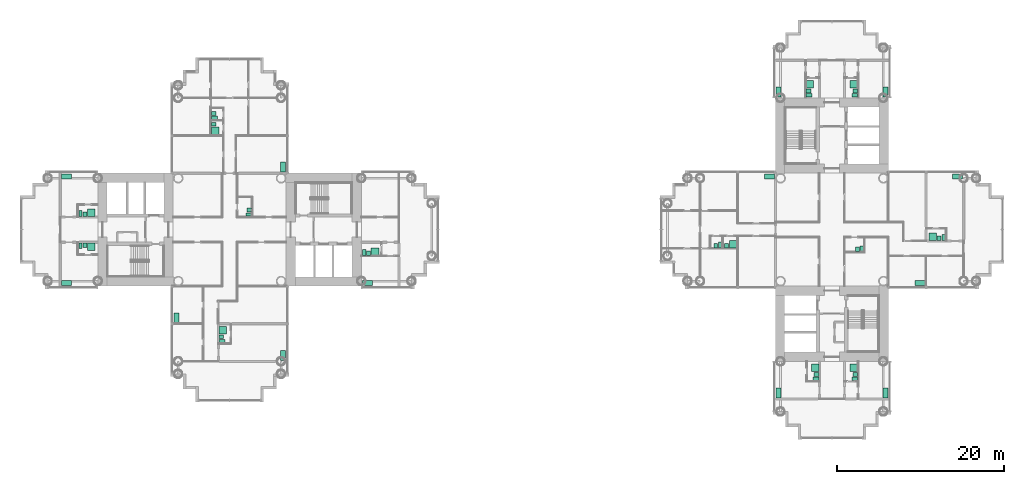
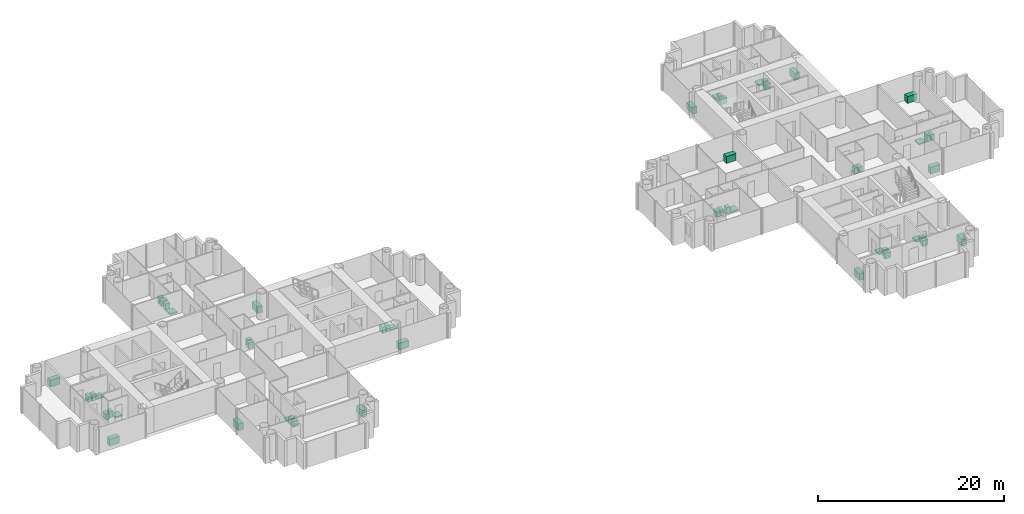
# One storey, part 21 of 21: 52 sanitary terminals.
"""IFC4 building model written with IfcOpenShell, lengths in metres."""

from ifc_helpers import new_model, si_unit, direction, frame, origin, origin_2d, place, context, subcontext, project, spatial, rectangle, extrude, material, type_object, element, save


model = new_model("IFC4")

# Units and contexts
model_context = context("Model", 3, precision=1e-05, world=origin(), true_north=direction((0.0, 1.0)))
body_context = subcontext(model_context, "Body", "Model", "MODEL_VIEW")
ifc_project = project(units=[si_unit("LENGTHUNIT", "METRE"), si_unit("AREAUNIT", "SQUARE_METRE"), si_unit("VOLUMEUNIT", "CUBIC_METRE"), si_unit("PLANEANGLEUNIT", "RADIAN"), si_unit("MASSUNIT", "GRAM", prefix="KILO")], contexts=[model_context])

# Site, building, storey
site_placement = place(None, origin())
site = spatial("IfcSite", under=ifc_project, at=site_placement, CompositionType="ELEMENT")
building_placement = place(site_placement, origin())
building = spatial("IfcBuilding", under=site, at=building_placement, Name="Ipe Terrace Towers", CompositionType="ELEMENT")
storey_placement = place(building_placement, frame((0.0, 0.0, 27.89990234375)))
storey = spatial("IfcBuildingStorey", under=building, at=storey_placement, Name="L06", CompositionType="ELEMENT", Elevation=27.89990234375)

# Sanitary terminals
ifc_material_1 = material(Name="Stainless sink unit", Category="metal")
sanitary_terminal_type_1 = type_object("IfcSanitaryTerminalType", Name="Kitchen sink unit", PredefinedType="SINK", material=ifc_material_1)
for number, where, z_axis, x_axis, name in (
    (1, (-29.6201171875, 7.469970703125, 0.000244140625), (0.0, 0.0, 1.0), (0.0, -1.0, 0.0), "Kitchen sink unit"),
    (2, (-29.6201171875, -15.030029296875, 0.000244140625), (0.0, 0.0, 1.0), (0.0, -1.0, 0.0), "Kitchen sink unit"),
    (3, (-42.3798828125, -10.530029296875, 0.000244140625), (0.0, 0.0, 1.0), (0.0, 1.0, 0.0), "Kitchen sink unit"),
    (4, (-19.530029296875, -6.3798828125, 0.000244140625), (0.0, 0.0, 1.0), (-1.0, 0.0, 0.0), "Kitchen sink unit"),
    (5, (-55.530029296875, -6.3798828125, 0.000244140625), (0.0, 0.0, 1.0), (-1.0, 0.0, 0.0), "Kitchen sink unit"),
    (6, (-55.530029296875, 6.3798828125, 0.000244140625), (0.0, 0.0, 1.0), (1.0, 0.0, 0.0), "Kitchen sink unit"),
    (7, (28.530029296875, 6.3798828125, 0.000244140625), (0.0, 0.0, 1.0), (1.0, 0.0, 0.0), "Kitchen sink unit"),
    (8, (51.030029296875, 6.3798828125, 0.000244140625), (0.0, 0.0, 1.0), (1.0, 0.0, 0.0), "Kitchen sink unit"),
    (9, (46.530029296875, -6.3798828125, 0.000244140625), (0.0, 0.0, 1.0), (-1.0, 0.0, 0.0), "Kitchen sink unit"),
    (10, (29.6201171875, 16.469970703125, 0.000244140625), (0.0, 0.0, 1.0), (0.0, 1.0, 0.0), "Kitchen sink unit"),
    (11, (42.3798828125, 16.469970703125, 0.000244140625), (0.0, 0.0, 1.0), (0.0, -1.0, 0.0), "Kitchen sink unit"),
    (12, (42.3798828125, -19.530029296875, 0.000244140625), (0.0, 0.0, 1.0), (0.0, -1.0, 0.0), "Kitchen sink unit"),
    (13, (29.6201171875, -19.530029296875, 0.000244140625), (0.0, 0.0, 1.0), (0.0, 1.0, 0.0), "Kitchen sink unit"),
):
    element("IfcSanitaryTerminal", number, at=place(storey_placement, frame(where, z_axis=z_axis, x_axis=x_axis)), inside=storey, type_object=sanitary_terminal_type_1, Name=name, PredefinedType="SINK", context=body_context, shape_type="SweptSolid", body=[
        extrude(rectangle(XDim=1.199951171875, YDim=0.60009765625, at=origin_2d()), origin(), (0.0, 0.0, 1.0), 0.89990234375),
    ])
ifc_material_2 = material(Name="Acrylic", Category="plastic")
sanitary_terminal_type_2 = type_object("IfcSanitaryTerminalType", Name="Shower tray", PredefinedType="SHOWER", material=ifc_material_2)
for number, where, z_axis, x_axis, name in (
    (14, (-37.72998046875, 11.820068359375, 0.000244140625), (0.0, 0.0, 1.0), (1.0, 0.0, 0.0), "Shower tray"),
    (15, (-36.830078125, -12.030029296875, 0.000244140625), (0.0, 0.0, 1.0), (1.0, 0.0, 0.0), "Shower tray"),
    (16, (-18.6298828125, -2.6298828125, 0.000244140625), (0.0, 0.0, 1.0), (0.0, 1.0, 0.0), "Shower tray"),
    (17, (-52.530029296875, -2.02001953125, 0.000244140625), (0.0, 0.0, 1.0), (0.0, -1.0, 0.0), "Shower tray"),
    (18, (-52.530029296875, 2.02001953125, 0.000244140625), (0.0, 0.0, 1.0), (0.0, 1.0, 0.0), "Shower tray"),
    (19, (24.179931640625, -1.72998046875, 0.000244140625), (0.0, 0.0, 1.0), (0.0, 1.0, 0.0), "Shower tray"),
    (20, (48.030029296875, -0.830078125, 0.000244140625), (0.0, 0.0, 1.0), (0.0, 1.0, 0.0), "Shower tray"),
    (21, (33.3701171875, 17.3701171875, 0.000244140625), (0.0, 0.0, 1.0), (1.0, 0.0, 0.0), "Shower tray"),
    (22, (38.6298828125, 17.3701171875, 0.000244140625), (0.0, 0.0, 1.0), (-1.0, 0.0, 0.0), "Shower tray"),
    (23, (38.6298828125, -16.530029296875, 0.000244140625), (0.0, 0.0, 1.0), (-1.0, 0.0, 0.0), "Shower tray"),
    (24, (33.97998046875, -16.530029296875, 0.000244140625), (0.0, 0.0, 1.0), (-1.0, 0.0, 0.0), "Shower tray"),
):
    element("IfcSanitaryTerminal", number, at=place(storey_placement, frame(where, z_axis=z_axis, x_axis=x_axis)), inside=storey, type_object=sanitary_terminal_type_2, Name=name, PredefinedType="SHOWER", context=body_context, shape_type="SweptSolid", body=[
        extrude(rectangle(XDim=0.89990234375, YDim=0.89990234375, at=origin_2d()), origin(), (0.0, 0.0, 1.0), 0.14990234375),
    ])
ifc_material_3 = material(Name="Vitreous china", Category="ceramic")
sanitary_terminal_type_3 = type_object("IfcSanitaryTerminalType", Name="Wash basin", PredefinedType="WASHHANDBASIN", material=ifc_material_3)
for number, where, z_axis, x_axis, name in (
    (25, (-33.64501953125, 2.344970703125, 0.0), (0.0, 0.0, 1.0), (-1.0, 0.0, 0.0), "Wash basin"),
    (26, (-37.905029296875, 12.594970703125, 0.0), (0.0, 0.0, 1.0), (1.0, 0.0, 0.0), "Wash basin"),
    (27, (-37.905029296875, 13.89501953125, 0.0), (0.0, 0.0, 1.0), (1.0, 0.0, 0.0), "Wash basin"),
    (28, (-37.0048828125, -12.804931640625, 0.0), (0.0, 0.0, 1.0), (1.0, 0.0, 0.0), "Wash basin"),
    (29, (-19.405029296875, -2.804931640625, 0.0), (0.0, 0.0, 1.0), (0.0, 1.0, 0.0), "Wash basin"),
    (30, (-53.304931640625, -1.844970703125, 0.0), (0.0, 0.0, 1.0), (0.0, -1.0, 0.0), "Wash basin"),
    (31, (-53.304931640625, 1.844970703125, 0.0), (0.0, 0.0, 1.0), (0.0, 1.0, 0.0), "Wash basin"),
    (32, (39.054931640625, -2.35498046875, 0.0), (0.0, 0.0, 1.0), (0.0, 1.0, 0.0), "Wash basin"),
    (33, (23.405029296875, -1.905029296875, 0.0), (0.0, 0.0, 1.0), (0.0, 1.0, 0.0), "Wash basin"),
    (34, (22.10498046875, -1.905029296875, 0.0), (0.0, 0.0, 1.0), (0.0, 1.0, 0.0), "Wash basin"),
    (35, (48.804931640625, -1.0048828125, 0.0), (0.0, 0.0, 1.0), (0.0, 1.0, 0.0), "Wash basin"),
    (36, (33.195068359375, 16.594970703125, 0.0), (0.0, 0.0, 1.0), (1.0, 0.0, 0.0), "Wash basin"),
    (37, (38.804931640625, 16.594970703125, 0.0), (0.0, 0.0, 1.0), (-1.0, 0.0, 0.0), "Wash basin"),
    (38, (38.804931640625, -17.304931640625, 0.0), (0.0, 0.0, 1.0), (-1.0, 0.0, 0.0), "Wash basin"),
    (39, (34.155029296875, -17.304931640625, 0.0), (0.0, 0.0, 1.0), (-1.0, 0.0, 0.0), "Wash basin"),
):
    element("IfcSanitaryTerminal", number, at=place(storey_placement, frame(where, z_axis=z_axis, x_axis=x_axis)), inside=storey, type_object=sanitary_terminal_type_3, Name=name, PredefinedType="WASHHANDBASIN", context=body_context, shape_type="SweptSolid", body=[
        extrude(rectangle(XDim=0.550048828125, YDim=0.449951171875, at=origin_2d()), origin(), (0.0, 0.0, 1.0), 0.85009765625),
    ])
ifc_material_4 = material(Name="Vitreous china", Category="ceramic")
sanitary_terminal_type_4 = type_object("IfcSanitaryTerminalType", Name="Water closet", PredefinedType="TOILETPAN", material=ifc_material_4)
for number, where, z_axis, x_axis, name in (
    (40, (-33.719970703125, 1.820068359375, 0.0), (0.0, 0.0, 1.0), (-1.0, 0.0, 0.0), "Water closet"),
    (41, (-37.830078125, 13.3701171875, 0.0), (0.0, 0.0, 1.0), (1.0, 0.0, 0.0), "Water closet"),
    (42, (-36.929931640625, -13.330078125, 0.0), (0.0, 0.0, 1.0), (1.0, 0.0, 0.0), "Water closet"),
    (43, (-19.929931640625, -2.72998046875, 0.0), (0.0, 0.0, 1.0), (0.0, 1.0, 0.0), "Water closet"),
    (44, (-53.830078125, -1.919921875, 0.0), (0.0, 0.0, 1.0), (0.0, -1.0, 0.0), "Water closet"),
    (45, (-53.830078125, 1.919921875, 0.0), (0.0, 0.0, 1.0), (0.0, 1.0, 0.0), "Water closet"),
    (46, (39.580078125, -2.280029296875, 0.0), (0.0, 0.0, 1.0), (0.0, 1.0, 0.0), "Water closet"),
    (47, (22.6298828125, -1.830078125, 0.0), (0.0, 0.0, 1.0), (0.0, 1.0, 0.0), "Water closet"),
    (48, (49.330078125, -0.929931640625, 0.0), (0.0, 0.0, 1.0), (0.0, 1.0, 0.0), "Water closet"),
    (49, (33.27001953125, 16.070068359375, 0.0), (0.0, 0.0, 1.0), (1.0, 0.0, 0.0), "Water closet"),
    (50, (38.72998046875, 16.070068359375, 0.0), (0.0, 0.0, 1.0), (-1.0, 0.0, 0.0), "Water closet"),
    (51, (38.72998046875, -17.830078125, 0.0), (0.0, 0.0, 1.0), (-1.0, 0.0, 0.0), "Water closet"),
    (52, (34.080078125, -17.830078125, 0.0), (0.0, 0.0, 1.0), (-1.0, 0.0, 0.0), "Water closet"),
):
    element("IfcSanitaryTerminal", number, at=place(storey_placement, frame(where, z_axis=z_axis, x_axis=x_axis)), inside=storey, type_object=sanitary_terminal_type_4, Name=name, PredefinedType="TOILETPAN", context=body_context, shape_type="SweptSolid", body=[
        extrude(rectangle(XDim=0.699951171875, YDim=0.39990234375, at=origin_2d()), origin(), (0.0, 0.0, 1.0), 0.780029296875),
    ])

save(model, "model.ifc")
